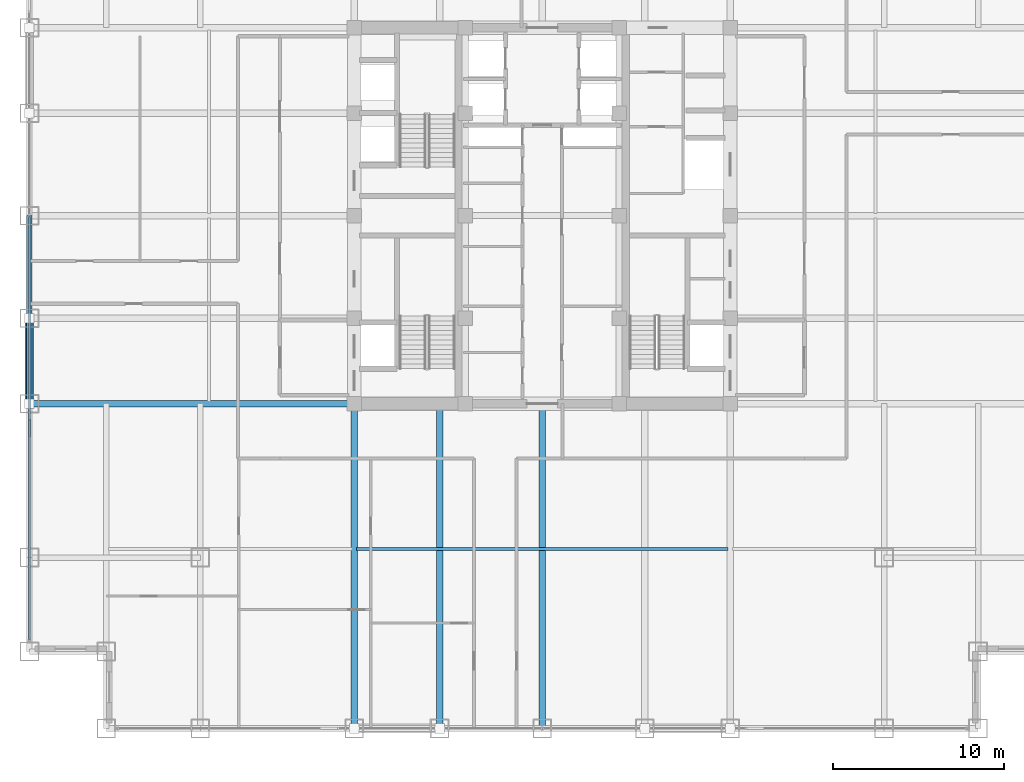
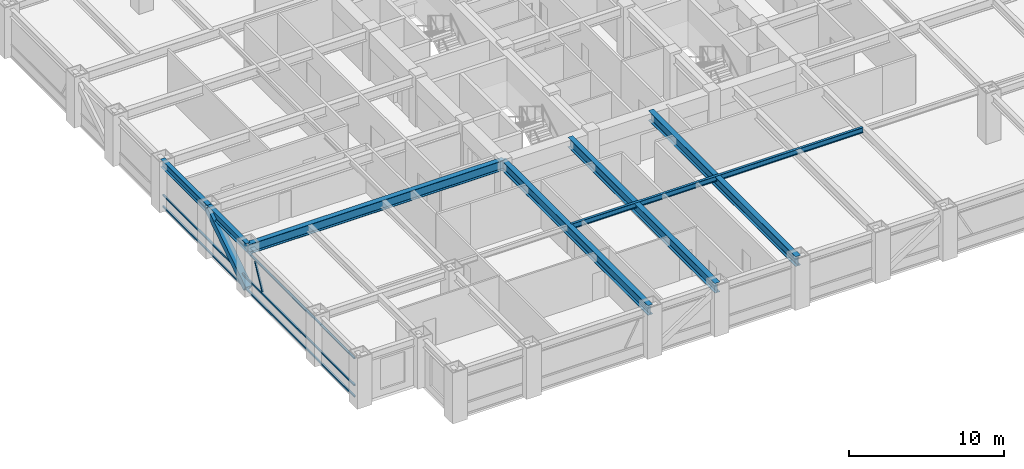
# One storey, part 5 of 24: 7 beams, 5 members, 1 element without a shape of its own.
"""IFC4 building model written with IfcOpenShell, lengths in metres."""

import ifcopenshell
import ifcopenshell.guid

model = None  # the IFC model being written
_history = None  # IfcOwnerHistory: only IFC2X3 demands one
_inside = {}  # id of a spatial element -> (the spatial element, [elements in it])
_under = {}  # id of a project, library or spatial element -> (it, [spatial elements below it])
_declared = {}  # id of a project -> (the project, [libraries it declares])
_typed = {}  # id of a type object -> (the type object, [elements of that type])
_made_of = {}  # id of a material, layer set ... -> (it, [elements and type objects made of it])


def new_model(schema):
    """Start an empty IFC model of exactly this schema.

    Asked for "IFC4X3", IfcOpenShell would pick the latest addendum, in which some entities
    have other attributes; the version numbers below select the first issue.
    IFC2X3 requires an IfcOwnerHistory on every rooted entity: one is made here for all.
    """
    global model, _history
    if schema == "IFC4X3":
        model = ifcopenshell.file(schema_version=(4, 3, 0, 0))
    else:
        model = ifcopenshell.file(schema=schema)
    _inside.clear()
    _under.clear()
    _declared.clear()
    _typed.clear()
    _made_of.clear()
    _history = None
    if model.schema == "IFC2X3":
        org = make("IfcOrganization", Name="unknown")
        user = make(
            "IfcPersonAndOrganization",
            ThePerson=make("IfcPerson", FamilyName="unknown"),
            TheOrganization=org,
        )
        app = make(
            "IfcApplication",
            ApplicationDeveloper=org,
            Version="unknown",
            ApplicationFullName="unknown",
            ApplicationIdentifier="unknown",
        )
        _history = make(
            "IfcOwnerHistory",
            OwningUser=user,
            OwningApplication=app,
            ChangeAction="ADDED",
            CreationDate=0,
        )
    return model


def make(cls, **values):
    """One entity of the class cls with the attributes given. An attribute that is None is left unset."""
    return model.create_entity(
        cls, **{name: value for name, value in values.items() if value is not None}
    )


def rooted(cls, **values):
    """An entity with a GlobalId (a new one), such as an element, a storey or a relation."""
    return make(cls, GlobalId=ifcopenshell.guid.new(), OwnerHistory=_history, **values)


def si_unit(unit_type, name, prefix=None):
    """IfcSIUnit, for example si_unit("LENGTHUNIT", "METRE", prefix="MILLI")."""
    return make("IfcSIUnit", UnitType=unit_type, Prefix=prefix, Name=name)


def assignment(units):
    """IfcUnitAssignment: the units of a project."""
    return None if units is None else make("IfcUnitAssignment", Units=units)


def point(xyz):
    """IfcCartesianPoint."""
    return None if xyz is None else make("IfcCartesianPoint", Coordinates=xyz)


def direction(xyz):
    """IfcDirection."""
    return None if xyz is None else make("IfcDirection", DirectionRatios=xyz)


def frame(location, z_axis=None, x_axis=None):
    """IfcAxis2Placement3D, a coordinate frame: its origin and axes. An axis left out is left unset."""
    return make(
        "IfcAxis2Placement3D",
        Location=point(location),
        Axis=direction(z_axis),
        RefDirection=direction(x_axis),
    )


def frame_2d(location, x_axis=None):
    """IfcAxis2Placement2D, a coordinate frame in the plane: its origin and x axis."""
    return make(
        "IfcAxis2Placement2D", Location=point(location), RefDirection=direction(x_axis)
    )


def origin():
    """The frame at (0, 0, 0) with its axes left unset."""
    return frame((0.0, 0.0, 0.0))


def origin_2d():
    """The frame at (0, 0) in the plane with its x axis left unset."""
    return frame_2d((0.0, 0.0))


def place(relative_to, where):
    """IfcLocalPlacement: puts the frame where relative to a parent placement (None: the world)."""
    return make(
        "IfcLocalPlacement", PlacementRelTo=relative_to, RelativePlacement=where
    )


def context(
    kind, dimensions, precision=None, world=None, true_north=None, identifier=None
):
    """IfcGeometricRepresentationContext, for example the 3D "Model" context."""
    return make(
        "IfcGeometricRepresentationContext",
        ContextIdentifier=identifier,
        ContextType=kind,
        CoordinateSpaceDimension=dimensions,
        Precision=precision,
        WorldCoordinateSystem=world,
        TrueNorth=true_north,
    )


def subcontext(parent, identifier, kind, view, scale=None):
    """IfcGeometricRepresentationSubContext, for example "Body" below "Model"."""
    return make(
        "IfcGeometricRepresentationSubContext",
        ContextIdentifier=identifier,
        ContextType=kind,
        ParentContext=parent,
        TargetScale=scale,
        TargetView=view,
    )


def project(units=None, contexts=None):
    """IfcProject with its units and contexts."""
    return rooted(
        "IfcProject",
        Name="project",
        RepresentationContexts=contexts,
        UnitsInContext=assignment(units),
    )


def spatial(cls, under=None, at=None, **own):
    """A site, building, storey or space (cls), placed at a placement, below another one or the project."""
    s = rooted(cls, ObjectPlacement=at, **own)
    if under is not None:
        _under.setdefault(under.id(), (under, []))[1].append(s)
    return s


def profile(cls, at=None, kind="AREA", **sizes):
    """A parametric profile (cls). Its sizes go by their IFC names, for example OverallWidth=200.0."""
    return make(cls, ProfileType=kind, Position=at, **sizes)


def hollow_rectangle(**sizes):
    """IfcRectangleHollowProfileDef."""
    return profile("IfcRectangleHollowProfileDef", **sizes)


def i_section(**sizes):
    """IfcIShapeProfileDef."""
    return profile("IfcIShapeProfileDef", **sizes)


def extrude(swept, where, along, depth):
    """IfcExtrudedAreaSolid: the profile swept, set in the frame where, extruded along a direction by depth."""
    return make(
        "IfcExtrudedAreaSolid",
        SweptArea=swept,
        Position=where,
        ExtrudedDirection=direction(along),
        Depth=depth,
    )


def shape(context_of_items, identifier, shape_type, items):
    """IfcShapeRepresentation: the items that make up one representation, for example the "Body"."""
    return make(
        "IfcShapeRepresentation",
        ContextOfItems=context_of_items,
        RepresentationIdentifier=identifier,
        RepresentationType=shape_type,
        Items=items,
    )


def source(mapping_origin, context_of_items, identifier, shape_type, items):
    """IfcRepresentationMap: a shape defined once, which mapped items show again and again."""
    return make(
        "IfcRepresentationMap",
        MappingOrigin=mapping_origin,
        MappedRepresentation=shape(context_of_items, identifier, shape_type, items),
    )


def transform(
    local_origin,
    x_axis=None,
    y_axis=None,
    z_axis=None,
    scale=None,
    scale2=None,
    scale3=None,
    uniform=True,
):
    """IfcCartesianTransformationOperator3D, or its non-uniform kind. x_axis, y_axis, z_axis: its Axis1, 2, 3."""
    if uniform:
        return make(
            "IfcCartesianTransformationOperator3D",
            Axis1=direction(x_axis),
            Axis2=direction(y_axis),
            LocalOrigin=point(local_origin),
            Scale=scale,
            Axis3=direction(z_axis),
        )
    return make(
        "IfcCartesianTransformationOperator3DnonUniform",
        Axis1=direction(x_axis),
        Axis2=direction(y_axis),
        LocalOrigin=point(local_origin),
        Scale=scale,
        Axis3=direction(z_axis),
        Scale2=scale2,
        Scale3=scale3,
    )


def mapped(mapping_source, mapping_target):
    """IfcMappedItem: shows the shape of a source again, moved by a transform."""
    return make(
        "IfcMappedItem", MappingSource=mapping_source, MappingTarget=mapping_target
    )


def material(Name=None, Category=None):
    """IfcMaterial."""
    return make("IfcMaterial", Name=Name, Category=Category)


def material_profile(
    of_material, cross_section, Name=None, Category=None, Priority=None
):
    """IfcMaterialProfile: a cross section and its material."""
    return make(
        "IfcMaterialProfile",
        Name=Name,
        Material=of_material,
        Profile=cross_section,
        Priority=Priority,
        Category=Category,
    )


def profile_set(profiles, Name=None, composite=None):
    """IfcMaterialProfileSet."""
    return make(
        "IfcMaterialProfileSet",
        Name=Name,
        MaterialProfiles=profiles,
        CompositeProfile=composite,
    )


def made_of(thing, what):
    """Note that an element or type object is made of a material, layer set ...; save() writes the relation."""
    if what is not None:
        _made_of.setdefault(what.id(), (what, []))[1].append(thing)
    return thing


def type_object(cls, material=None, **own):
    """A type object (cls), such as IfcWallType, which elements share."""
    return made_of(rooted(cls, **own), material)


def element(
    cls,
    number,
    at=None,
    inside=None,
    cuts=None,
    type_object=None,
    material=None,
    context=None,
    identifier="Body",
    shape_type=None,
    held_by="IfcProductDefinitionShape",
    body=None,
    shapes=None,
    **own,
):
    """One element of the class cls, such as IfcWall. Its Tag is "e" and its number.

    at: its placement. inside: the storey or other place that contains it. cuts: it is an
    opening in that element (IfcRelVoidsElement). A single representation is given by context,
    identifier, shape_type and body (its items); several are given by shapes. held_by: the class
    of the entity that holds the representations. save() writes the other relations.
    """
    e = rooted(cls, Tag="e%d" % number, ObjectPlacement=at, **own)
    if body is not None:
        shapes = [shape(context, identifier, shape_type, body)]
    if shapes is not None:
        e.Representation = make(held_by, Representations=shapes)
    if inside is not None:
        _inside.setdefault(inside.id(), (inside, []))[1].append(e)
    if cuts is not None:
        rooted(
            "IfcRelVoidsElement", RelatingBuildingElement=cuts, RelatedOpeningElement=e
        )
    if type_object is not None:
        _typed.setdefault(type_object.id(), (type_object, []))[1].append(e)
    return made_of(e, material)


def aggregate(whole, parts):
    """IfcRelAggregates: a whole, such as a stair, and the parts it consists of."""
    return rooted("IfcRelAggregates", RelatingObject=whole, RelatedObjects=parts)


def save(model, path):
    """Write the relations noted so far, then the file.

    IfcRelAggregates (storeys below a building ...), IfcRelContainedInSpatialStructure (elements
    in a storey), IfcRelDefinesByType, IfcRelAssociatesMaterial and IfcRelDeclares: one each for
    every whole, place, type object, material and project.
    """
    for whole, parts in _under.values():
        aggregate(whole, parts)
    for where, things in _inside.values():
        rooted(
            "IfcRelContainedInSpatialStructure",
            RelatedElements=things,
            RelatingStructure=where,
        )
    for kind, things in _typed.values():
        rooted("IfcRelDefinesByType", RelatedObjects=things, RelatingType=kind)
    for what, things in _made_of.values():
        rooted("IfcRelAssociatesMaterial", RelatedObjects=things, RelatingMaterial=what)
    for by, libraries in _declared.values():
        rooted("IfcRelDeclares", RelatingContext=by, RelatedDefinitions=libraries)
    model.write(path)


model = new_model("IFC4")

# Units and contexts
model_context = context("Model", 3, precision=1e-05, world=origin(), true_north=direction((0.0, 1.0)))
body_context = subcontext(model_context, "Body", "Model", "MODEL_VIEW")
ifc_project = project(units=[si_unit("LENGTHUNIT", "METRE"), si_unit("AREAUNIT", "SQUARE_METRE"), si_unit("VOLUMEUNIT", "CUBIC_METRE"), si_unit("PLANEANGLEUNIT", "RADIAN"), si_unit("MASSUNIT", "GRAM", prefix="KILO")], contexts=[model_context])

# Site, building, storey
site_placement = place(None, origin())
site = spatial("IfcSite", under=ifc_project, at=site_placement, CompositionType="ELEMENT")
building_placement = place(site_placement, origin())
building = spatial("IfcBuilding", under=site, at=building_placement, Name="Khorayat Bourse Tower", CompositionType="ELEMENT")
storey_placement = place(building_placement, frame((0.0, 0.0, 175.10009765625)))
storey = spatial("IfcBuildingStorey", under=building, at=storey_placement, Name="L40", CompositionType="ELEMENT", Elevation=175.10009765625)

# Beams
ifc_material_1 = material(Name="Steel ASTM A992 Grade 50", Category="steel")
ifc_material_profile_1 = material_profile(ifc_material_1, i_section(OverallWidth=0.381103515625, OverallDepth=0.77294921875, WebThickness=0.0166015625, FlangeThickness=0.027587890625, FilletRadius=0.01806640625, at=origin_2d()), Name="W760X257")
ifc_profile_set_1 = profile_set([ifc_material_profile_1], Name="Steel ASTM A992 Grade 50")
beam_type_1 = type_object("IfcBeamType", Name="BM-GIRD-760", PredefinedType="BEAM", material=ifc_profile_set_1)
shared_shape_1 = source(origin(), body_context, "Body", "SweptSolid", [
    extrude(i_section(OverallWidth=0.381103515625, OverallDepth=0.77294921875, WebThickness=0.0166015625, FlangeThickness=0.027587890625, FilletRadius=0.01806640625, at=origin_2d()), origin(), (0.0, 0.0, 1.0), 19.0),
])
for number, where, z_axis, x_axis, name in (
    (1, (-11.0, -30.0, 3.393310546875), (0.0, 1.0, 0.0), (-1.0, 0.0, 0.0), "L40 BM-GIRD-760 BM-L40-RADY-065"),
    (2, (-6.0, -30.0, 3.393310546875), (0.0, 1.0, 0.0), (-1.0, 0.0, 0.0), "L40 BM-GIRD-760 BM-L40-RADY-067"),
    (3, (0.0, -30.0, 3.393310546875), (0.0, 1.0, 0.0), (-1.0, 0.0, 0.0), "L40 BM-GIRD-760 BM-L40-RADY-069"),
    (4, (-30.0, -11.0, 3.393310546875), (1.0, 0.0, 0.0), (0.0, 1.0, 0.0), "L40 BM-GIRD-760 BM-L40-RADX-075"),
):
    element("IfcBeam", number, at=place(storey_placement, frame(where, z_axis=z_axis, x_axis=x_axis)), inside=storey, type_object=beam_type_1, Name=name, PredefinedType="BEAM", context=body_context, shape_type="MappedRepresentation", body=[
        mapped(shared_shape_1, transform((0.0, 0.0, 0.0), scale=1.0)),
    ])
ifc_material_profile_2 = material_profile(ifc_material_1, i_section(OverallWidth=0.180908203125, OverallDepth=0.4169921875, WebThickness=0.010986328125, FlangeThickness=0.018310546875, FilletRadius=0.011962890625, at=origin_2d()), Name="W410X85")
ifc_profile_set_2 = profile_set([ifc_material_profile_2], Name="Steel ASTM A992 Grade 50")
beam_type_2 = type_object("IfcBeamType", Name="BM-JOIST-410", PredefinedType="JOIST", material=ifc_profile_set_2)
shared_shape_2 = source(origin(), body_context, "Body", "SweptSolid", [
    extrude(i_section(OverallWidth=0.180908203125, OverallDepth=0.4169921875, WebThickness=0.010986328125, FlangeThickness=0.018310546875, FilletRadius=0.011962890625, at=origin_2d()), origin(), (0.0, 0.0, 1.0), 21.740234375),
])
beam_1_placement = place(storey_placement, frame((-10.8701171875, -19.5, 3.5712890625), z_axis=(1.0, 0.0, 0.0), x_axis=(0.0, 1.0, 0.0)))
element("IfcBeam", 5, at=beam_1_placement, inside=storey, type_object=beam_type_2, Name="L40 BM-JOIST-410 BM-L40-JSTX-097", PredefinedType="JOIST", context=body_context, shape_type="MappedRepresentation", body=[
    mapped(shared_shape_2, transform((0.0, 0.0, 0.0), scale=1.0)),
])
ifc_material_profile_3 = material_profile(ifc_material_1, i_section(OverallWidth=0.324951171875, OverallDepth=0.615966796875, WebThickness=0.013916015625, FlangeThickness=0.021484375, FilletRadius=0.01611328125, at=origin_2d()), Name="W610X174")
ifc_profile_set_3 = profile_set([ifc_material_profile_3], Name="Steel ASTM A992 Grade 50")
beam_type_3 = type_object("IfcBeamType", Name="BM-SPAN-610", PredefinedType="SPANDREL", material=ifc_profile_set_3)
shared_shape_3 = source(origin(), body_context, "Body", "SweptSolid", [
    extrude(i_section(OverallWidth=0.324951171875, OverallDepth=0.615966796875, WebThickness=0.013916015625, FlangeThickness=0.021484375, FilletRadius=0.01611328125, at=origin_2d()), origin(), (0.0, 0.0, 1.0), 5.0),
])
beam_2_placement = place(storey_placement, frame((-30.0, -11.0, 3.471923828125), z_axis=(0.0, 1.0, 0.0), x_axis=(-1.0, 0.0, 0.0)))
element("IfcBeam", 6, at=beam_2_placement, inside=storey, type_object=beam_type_3, Name="L40 BM-SPAN-610 BM-L40-SPN-059", PredefinedType="SPANDREL", context=body_context, shape_type="MappedRepresentation", body=[
    mapped(shared_shape_3, transform((0.0, 0.0, 0.0), scale=1.0)),
])
shared_shape_4 = source(origin(), body_context, "Body", "SweptSolid", [
    extrude(i_section(OverallWidth=0.324951171875, OverallDepth=0.615966796875, WebThickness=0.013916015625, FlangeThickness=0.021484375, FilletRadius=0.01611328125, at=origin_2d()), origin(), (0.0, 0.0, 1.0), 6.0),
])
beam_3_placement = place(storey_placement, frame((-30.0, -6.0, 3.471923828125), z_axis=(0.0, 1.0, 0.0), x_axis=(-1.0, 0.0, 0.0)))
element("IfcBeam", 7, at=beam_3_placement, inside=storey, type_object=beam_type_3, Name="L40 BM-SPAN-610 BM-L40-SPN-058", PredefinedType="SPANDREL", context=body_context, shape_type="MappedRepresentation", body=[
    mapped(shared_shape_4, transform((0.0, 0.0, 0.0), scale=1.0)),
])

# Member
ifc_material_2 = material(Name="Steel EN 10025-4 S460M", Category="steel")
ifc_material_profile_4 = material_profile(ifc_material_2, hollow_rectangle(XDim=0.5, YDim=0.5, WallThickness=0.028076171875, at=origin_2d()), Name="HSS 500x500x28")
ifc_profile_set_4 = profile_set([ifc_material_profile_4], Name="Steel EN 10025-4 S460M")
member_type_1 = type_object("IfcMemberType", Name="MBR-TUBE-500", PredefinedType="BRACE", material=ifc_profile_set_4)
shared_shape_5 = source(origin(), body_context, "Body", "SweptSolid", [
    extrude(hollow_rectangle(XDim=0.5, YDim=0.5, WallThickness=0.028076171875, at=origin_2d()), origin(), (0.0, 0.0, 1.0), 5.979736328125),
])
member_1_placement = place(storey_placement, frame((-30.0, -11.0, 0.25), z_axis=(0.0, 0.836160261256, 0.548485202623), x_axis=(-1.0, 0.0, 0.0)))
element("IfcMember", 8, at=member_1_placement, inside=storey, type_object=member_type_1, Name="L40 Perimeter Tube Brace 05", PredefinedType="BRACE", context=body_context, shape_type="MappedRepresentation", body=[
    mapped(shared_shape_5, transform((0.0, 0.0, 0.0), scale=1.0)),
])

# Curtain wall, members
ifc_material_3 = material(Name="Aluminium EN AW-6063 T6", Category="aluminium")
curtain_wall_type = type_object("IfcCurtainWallType", Name="CW-SYS-03", PredefinedType="NOTDEFINED", material=ifc_material_3)
curtain_wall_placement = place(storey_placement, origin())
curtain_wall = element("IfcCurtainWall", 9, at=curtain_wall_placement, inside=storey, type_object=curtain_wall_type, Name="L40 Curtain Wall CW-L40-W1", PredefinedType="NOTDEFINED")
ifc_material_profile_5 = material_profile(ifc_material_3, hollow_rectangle(XDim=0.1201171875, YDim=0.1201171875, WallThickness=0.0048828125, at=origin_2d()), Name="ALU 120x120x5")
ifc_profile_set_5 = profile_set([ifc_material_profile_5], Name="Aluminium EN AW-6063 T6")
member_type_2 = type_object("IfcMemberType", Name="CWM-DIAG-120", PredefinedType="MULLION", material=ifc_profile_set_5)
shared_shape_6 = source(origin(), body_context, "Body", "SweptSolid", [
    extrude(hollow_rectangle(XDim=0.1201171875, YDim=0.1201171875, WallThickness=0.0048828125, at=origin_2d()), origin(), (0.0, 0.0, 1.0), 2.079345703125),
])
member_2_placement = place(storey_placement, frame((-30.0, -12.904296875, 1.08984375), z_axis=(0.0, 0.465760949701, 0.884910581773), x_axis=(-1.0, 0.0, 0.0)))
member_2 = element("IfcMember", 10, at=member_2_placement, type_object=member_type_2, Name="CW-L40-W1 Faceted Diagonal Mullion 1", PredefinedType="MULLION", context=body_context, shape_type="MappedRepresentation", body=[
    mapped(shared_shape_6, transform((0.0, 0.0, 0.0), scale=1.0)),
])
ifc_material_profile_6 = material_profile(ifc_material_3, hollow_rectangle(XDim=0.1201171875, YDim=0.1201171875, WallThickness=0.0048828125, at=origin_2d()), Name="ALU 120x120x5")
ifc_profile_set_6 = profile_set([ifc_material_profile_6], Name="Aluminium EN AW-6063 T6")
member_type_3 = type_object("IfcMemberType", Name="CWT-HORZ-120", PredefinedType="USERDEFINED", material=ifc_profile_set_6)
shared_shape_7 = source(origin(), body_context, "Body", "SweptSolid", [
    extrude(hollow_rectangle(XDim=0.1201171875, YDim=0.1201171875, WallThickness=0.0048828125, at=origin_2d()), origin(), (0.0, 0.0, 1.0), 24.719970703125),
])
member_3_placement = place(storey_placement, frame((-30.0, -24.780029296875, 0.059814453125), z_axis=(0.0, 1.0, 0.0), x_axis=(-1.0, 0.0, 0.0)))
member_3 = element("IfcMember", 11, at=member_3_placement, type_object=member_type_3, Name="CW-L40-W1 Horizontal Transom 1-1", ObjectType="TRANSOM", PredefinedType="USERDEFINED", context=body_context, shape_type="MappedRepresentation", body=[
    mapped(shared_shape_7, transform((0.0, 0.0, 0.0), scale=1.0)),
])
member_4_placement = place(storey_placement, frame((-30.0, -24.780029296875, 0.949951171875), z_axis=(0.0, 1.0, 0.0), x_axis=(-1.0, 0.0, 0.0)))
member_4 = element("IfcMember", 12, at=member_4_placement, type_object=member_type_3, Name="CW-L40-W1 Horizontal Transom 1-2", ObjectType="TRANSOM", PredefinedType="USERDEFINED", context=body_context, shape_type="MappedRepresentation", body=[
    mapped(shared_shape_7, transform((0.0, 0.0, 0.0), scale=1.0)),
])
member_5_placement = place(storey_placement, frame((-30.0, -24.780029296875, 3.06982421875), z_axis=(0.0, 1.0, 0.0), x_axis=(-1.0, 0.0, 0.0)))
member_5 = element("IfcMember", 13, at=member_5_placement, type_object=member_type_3, Name="CW-L40-W1 Horizontal Transom 1-3", ObjectType="TRANSOM", PredefinedType="USERDEFINED", context=body_context, shape_type="MappedRepresentation", body=[
    mapped(shared_shape_7, transform((0.0, 0.0, 0.0), scale=1.0)),
])
aggregate(curtain_wall, [member_3, member_4, member_5, member_2])

save(model, "model.ifc")
